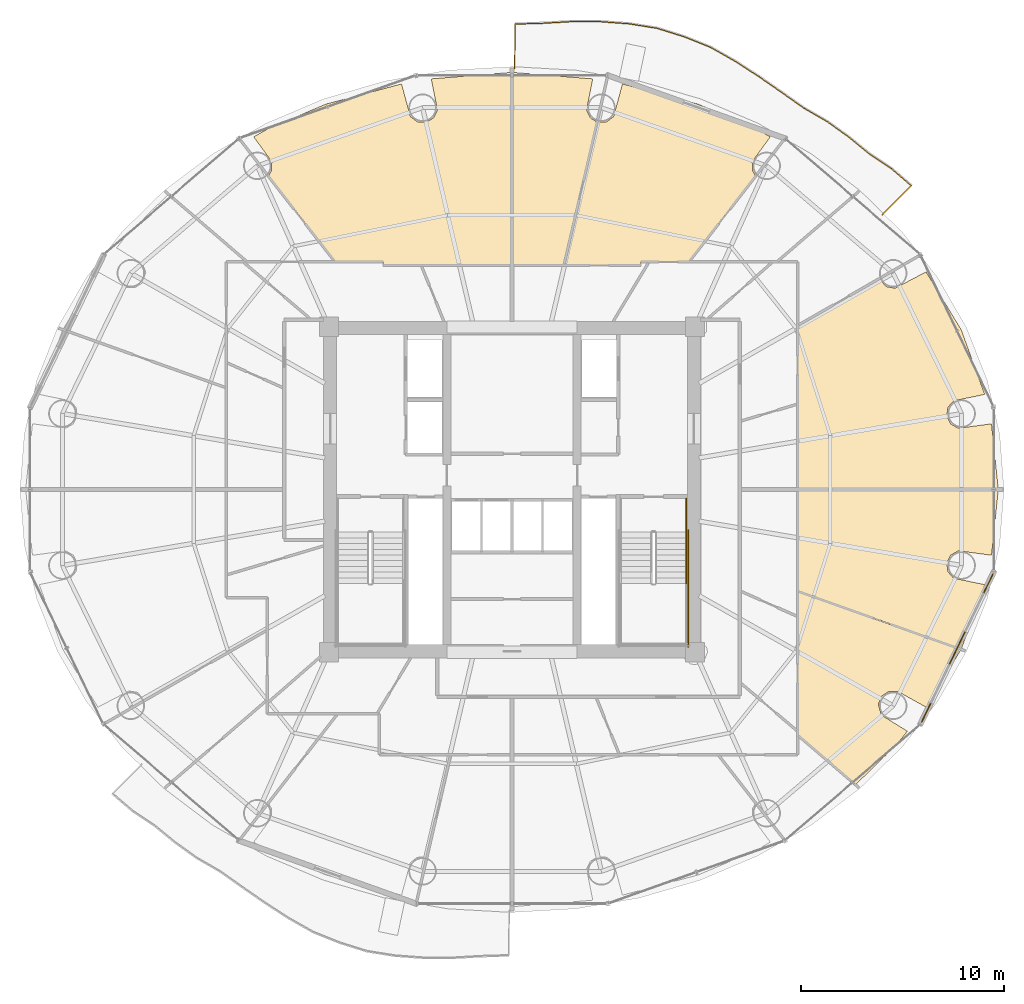
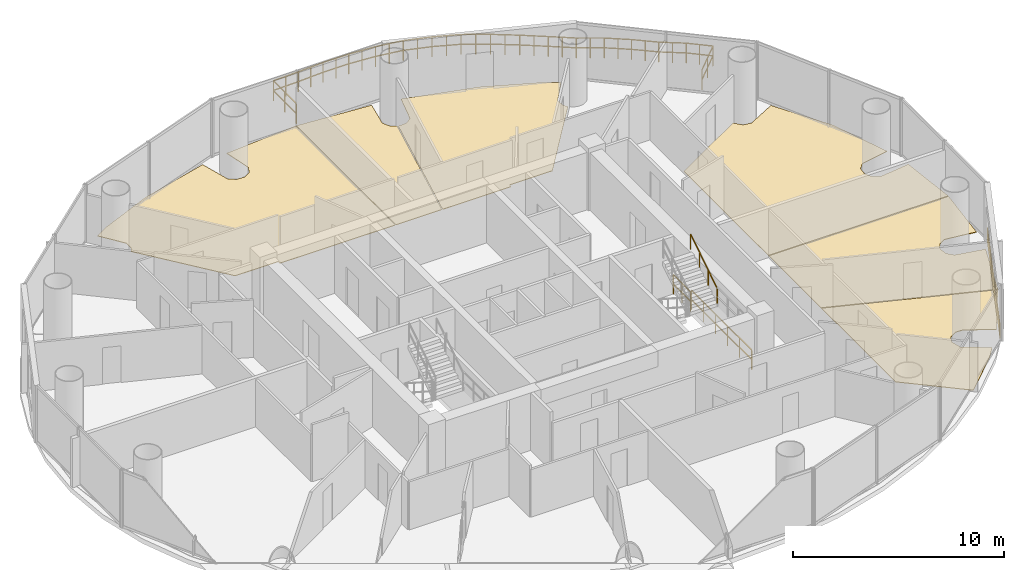
# One storey, part 27 of 27: 7 coverings, 4 railings.
"""IFC4 building model written with IfcOpenShell, lengths in metres."""

from ifc_helpers import new_model, si_unit, direction, frame, origin, origin_2d, place, context, subcontext, project, spatial, polyline, rectangle, outline, extrude, source, transform, mapped, material, layer, layer_set, type_object, element, save


model = new_model("IFC4")

# Units and contexts
model_context = context("Model", 3, precision=1e-05, world=origin(), true_north=direction((-0.2419218956, 0.970295726276)))
body_context = subcontext(model_context, "Body", "Model", "MODEL_VIEW")
ifc_project = project(units=[si_unit("LENGTHUNIT", "METRE"), si_unit("AREAUNIT", "SQUARE_METRE"), si_unit("VOLUMEUNIT", "CUBIC_METRE"), si_unit("PLANEANGLEUNIT", "RADIAN"), si_unit("MASSUNIT", "GRAM", prefix="KILO")], contexts=[model_context])

# Site, building, storey
site_placement = place(None, origin())
site = spatial("IfcSite", under=ifc_project, at=site_placement, CompositionType="ELEMENT")
building_placement = place(site_placement, origin())
building = spatial("IfcBuilding", under=site, at=building_placement, Name="Cobrevalo Terracotta Tower", CompositionType="ELEMENT")
storey_placement = place(building_placement, frame((0.0, 0.0, 164.199951171875)))
storey = spatial("IfcBuildingStorey", under=building, at=storey_placement, Name="L43", CompositionType="ELEMENT", Elevation=164.199951171875)

# Railing
ifc_material_1 = material(Name="Laminated structural glass and stainless steel", Category="steel")
railing_type_1 = type_object("IfcRailingType", Name="Balcony lobe structural glass & terracotta-cap balustrade 1180 mm", PredefinedType="BALUSTRADE", material=ifc_material_1)
railing_1_placement = place(storey_placement, frame((56.211181640625, 40.305908203125, 0.0)))
element("IfcRailing", 1, at=railing_1_placement, inside=storey, type_object=railing_type_1, Name="L43 spiralling balcony lobe balustrade 1", PredefinedType="BALUSTRADE", context=body_context, shape_type="SweptSolid", body=[
    extrude(rectangle(XDim=0.048095703125, YDim=0.048095703125, at=origin_2d()), frame((0.0, 0.0, 1.15576171875), z_axis=(0.706021801252, 0.708190098884, 0.0), x_axis=(-0.708190098884, 0.706021801252, 0.0)), (0.0, 0.0, 1.0), 2.026611328125),
    extrude(rectangle(XDim=0.048095703125, YDim=0.048095703125, at=origin_2d()), frame((0.0, 0.0, 0.58984375), z_axis=(0.706021801252, 0.708190098884, 0.0), x_axis=(-0.708190098884, 0.706021801252, 0.0)), (0.0, 0.0, 1.0), 2.026611328125),
    extrude(rectangle(XDim=0.048095703125, YDim=0.048095703125, at=origin_2d()), frame((1.430908203125, 1.435302734375, 1.15576171875), z_axis=(-0.757802502435, 0.652483997738, 0.0), x_axis=(-0.652483997738, -0.757802502435, 0.0)), (0.0, 0.0, 1.0), 1.29345703125),
    extrude(rectangle(XDim=0.048095703125, YDim=0.048095703125, at=origin_2d()), frame((1.430908203125, 1.435302734375, 0.58984375), z_axis=(-0.757802502435, 0.652483997738, 0.0), x_axis=(-0.652483997738, -0.757802502435, 0.0)), (0.0, 0.0, 1.0), 1.29345703125),
    extrude(rectangle(XDim=0.048095703125, YDim=0.048095703125, at=origin_2d()), frame((0.45068359375, 2.279296875, 1.15576171875), z_axis=(-0.83202152843, 0.554743342663, 0.0), x_axis=(-0.554743342663, -0.83202152843, 0.0)), (0.0, 0.0, 1.0), 1.3056640625),
    extrude(rectangle(XDim=0.048095703125, YDim=0.048095703125, at=origin_2d()), frame((0.45068359375, 2.279296875, 0.58984375), z_axis=(-0.83202152843, 0.554743342663, 0.0), x_axis=(-0.554743342663, -0.83202152843, 0.0)), (0.0, 0.0, 1.0), 1.3056640625),
    extrude(rectangle(XDim=0.048095703125, YDim=0.048095703125, at=origin_2d()), frame((-0.6357421875, 3.003662109375, 1.15576171875), z_axis=(-0.773682191718, 0.633573883788, 0.0), x_axis=(-0.633573883788, -0.773682191718, 0.0)), (0.0, 0.0, 1.0), 1.30517578125),
    extrude(rectangle(XDim=0.048095703125, YDim=0.048095703125, at=origin_2d()), frame((-0.6357421875, 3.003662109375, 0.58984375), z_axis=(-0.773682191718, 0.633573883788, 0.0), x_axis=(-0.633573883788, -0.773682191718, 0.0)), (0.0, 0.0, 1.0), 1.30517578125),
    extrude(rectangle(XDim=0.048095703125, YDim=0.048095703125, at=origin_2d()), frame((-1.6455078125, 3.83056640625, 1.15576171875), z_axis=(-0.812532479491, 0.582915919985, 0.0), x_axis=(-0.582915919985, -0.812532479491, 0.0)), (0.0, 0.0, 1.0), 1.306640625),
    extrude(rectangle(XDim=0.048095703125, YDim=0.048095703125, at=origin_2d()), frame((-1.6455078125, 3.83056640625, 0.58984375), z_axis=(-0.812532479491, 0.582915919985, 0.0), x_axis=(-0.582915919985, -0.812532479491, 0.0)), (0.0, 0.0, 1.0), 1.306640625),
    extrude(rectangle(XDim=0.048095703125, YDim=0.048095703125, at=origin_2d()), frame((-2.707275390625, 4.59228515625, 1.15576171875), z_axis=(-0.866446174759, 0.499270494067, 0.0), x_axis=(-0.499270494067, -0.866446174759, 0.0)), (0.0, 0.0, 1.0), 1.3251953125),
    extrude(rectangle(XDim=0.048095703125, YDim=0.048095703125, at=origin_2d()), frame((-2.707275390625, 4.59228515625, 0.58984375), z_axis=(-0.866446174759, 0.499270494067, 0.0), x_axis=(-0.499270494067, -0.866446174759, 0.0)), (0.0, 0.0, 1.0), 1.3251953125),
    extrude(rectangle(XDim=0.048095703125, YDim=0.048095703125, at=origin_2d()), frame((-3.85546875, 5.25390625, 1.15576171875), z_axis=(-0.816146575687, 0.577844933346, 0.0), x_axis=(-0.577844933346, -0.816146575687, 0.0)), (0.0, 0.0, 1.0), 1.3359375),
    extrude(rectangle(XDim=0.048095703125, YDim=0.048095703125, at=origin_2d()), frame((-3.85546875, 5.25390625, 0.58984375), z_axis=(-0.816146575687, 0.577844933346, 0.0), x_axis=(-0.577844933346, -0.816146575687, 0.0)), (0.0, 0.0, 1.0), 1.3359375),
    extrude(rectangle(XDim=0.048095703125, YDim=0.048095703125, at=origin_2d()), frame((-4.94580078125, 6.02587890625, 1.15576171875), z_axis=(-0.822082565391, 0.569368295289, 0.0), x_axis=(-0.569368295289, -0.822082565391, 0.0)), (0.0, 0.0, 1.0), 1.363037109375),
    extrude(rectangle(XDim=0.048095703125, YDim=0.048095703125, at=origin_2d()), frame((-4.94580078125, 6.02587890625, 0.58984375), z_axis=(-0.822082565391, 0.569368295289, 0.0), x_axis=(-0.569368295289, -0.822082565391, 0.0)), (0.0, 0.0, 1.0), 1.363037109375),
    extrude(rectangle(XDim=0.048095703125, YDim=0.048095703125, at=origin_2d()), frame((-6.06640625, 6.802001953125, 1.15576171875), z_axis=(-0.839220023111, 0.543792012455, 0.0), x_axis=(-0.543792012455, -0.839220023111, 0.0)), (0.0, 0.0, 1.0), 1.385009765625),
    extrude(rectangle(XDim=0.048095703125, YDim=0.048095703125, at=origin_2d()), frame((-6.06640625, 6.802001953125, 0.58984375), z_axis=(-0.839220023111, 0.543792012455, 0.0), x_axis=(-0.543792012455, -0.839220023111, 0.0)), (0.0, 0.0, 1.0), 1.385009765625),
    extrude(rectangle(XDim=0.048095703125, YDim=0.048095703125, at=origin_2d()), frame((-7.228759765625, 7.55517578125, 1.15576171875), z_axis=(-0.869694041048, 0.493591202278, 0.0), x_axis=(-0.493591202278, -0.869694041048, 0.0)), (0.0, 0.0, 1.0), 1.394287109375),
    extrude(rectangle(XDim=0.048095703125, YDim=0.048095703125, at=origin_2d()), frame((-7.228759765625, 7.55517578125, 0.58984375), z_axis=(-0.869694041048, 0.493591202278, 0.0), x_axis=(-0.493591202278, -0.869694041048, 0.0)), (0.0, 0.0, 1.0), 1.394287109375),
    extrude(rectangle(XDim=0.048095703125, YDim=0.048095703125, at=origin_2d()), frame((-8.44140625, 8.243408203125, 1.15576171875), z_axis=(-0.92836839883, 0.371661292111, 0.0), x_axis=(-0.371661292111, -0.92836839883, 0.0)), (0.0, 0.0, 1.0), 1.39990234375),
    extrude(rectangle(XDim=0.048095703125, YDim=0.048095703125, at=origin_2d()), frame((-8.44140625, 8.243408203125, 0.58984375), z_axis=(-0.92836839883, 0.371661292111, 0.0), x_axis=(-0.371661292111, -0.92836839883, 0.0)), (0.0, 0.0, 1.0), 1.39990234375),
    extrude(rectangle(XDim=0.048095703125, YDim=0.048095703125, at=origin_2d()), frame((-9.740966796875, 8.763671875, 1.15576171875), z_axis=(-0.954296746624, 0.298860702305, 0.0), x_axis=(-0.298860702305, -0.954296746624, 0.0)), (0.0, 0.0, 1.0), 1.400146484375),
    extrude(rectangle(XDim=0.048095703125, YDim=0.048095703125, at=origin_2d()), frame((-9.740966796875, 8.763671875, 0.58984375), z_axis=(-0.954296746624, 0.298860702305, 0.0), x_axis=(-0.298860702305, -0.954296746624, 0.0)), (0.0, 0.0, 1.0), 1.400146484375),
    extrude(rectangle(XDim=0.048095703125, YDim=0.048095703125, at=origin_2d()), frame((-11.0771484375, 9.18212890625, 1.15576171875), z_axis=(-0.98754111881, 0.157361172656, 0.0), x_axis=(-0.157361172656, -0.98754111881, 0.0)), (0.0, 0.0, 1.0), 1.4072265625),
    extrude(rectangle(XDim=0.048095703125, YDim=0.048095703125, at=origin_2d()), frame((-11.0771484375, 9.18212890625, 0.58984375), z_axis=(-0.98754111881, 0.157361172656, 0.0), x_axis=(-0.157361172656, -0.98754111881, 0.0)), (0.0, 0.0, 1.0), 1.4072265625),
    extrude(rectangle(XDim=0.048095703125, YDim=0.048095703125, at=origin_2d()), frame((-12.466796875, 9.403564453125, 1.15576171875), z_axis=(-0.997351217919, 0.072736154111, 0.0), x_axis=(-0.072736154111, -0.997351217919, 0.0)), (0.0, 0.0, 1.0), 1.40966796875),
    extrude(rectangle(XDim=0.048095703125, YDim=0.048095703125, at=origin_2d()), frame((-12.466796875, 9.403564453125, 0.58984375), z_axis=(-0.997351217919, 0.072736154111, 0.0), x_axis=(-0.072736154111, -0.997351217919, 0.0)), (0.0, 0.0, 1.0), 1.40966796875),
    extrude(rectangle(XDim=0.048095703125, YDim=0.048095703125, at=origin_2d()), frame((-13.872802734375, 9.506103515625, 1.15576171875), z_axis=(-0.999997043134, 0.002431814939, 0.0), x_axis=(-0.002431814939, -0.999997043134, 0.0)), (0.0, 0.0, 1.0), 1.405517578125),
    extrude(rectangle(XDim=0.048095703125, YDim=0.048095703125, at=origin_2d()), frame((-13.872802734375, 9.506103515625, 0.58984375), z_axis=(-0.999997043134, 0.002431814939, 0.0), x_axis=(-0.002431814939, -0.999997043134, 0.0)), (0.0, 0.0, 1.0), 1.405517578125),
    extrude(rectangle(XDim=0.048095703125, YDim=0.048095703125, at=origin_2d()), frame((-15.2783203125, 9.509521484375, 1.15576171875), z_axis=(-0.998344933201, -0.057509950033, 0.0), x_axis=(0.057509950033, -0.998344933201, 0.0)), (0.0, 0.0, 1.0), 1.4052734375),
    extrude(rectangle(XDim=0.048095703125, YDim=0.048095703125, at=origin_2d()), frame((-15.2783203125, 9.509521484375, 0.58984375), z_axis=(-0.998344933201, -0.057509950033, 0.0), x_axis=(0.057509950033, -0.998344933201, 0.0)), (0.0, 0.0, 1.0), 1.4052734375),
    extrude(rectangle(XDim=0.048095703125, YDim=0.048095703125, at=origin_2d()), frame((-16.68115234375, 9.4287109375, 1.15576171875), z_axis=(-0.999553354362, -0.029884641267, 0.0), x_axis=(0.029884641267, -0.999553354362, 0.0)), (0.0, 0.0, 1.0), 1.388916015625),
    extrude(rectangle(XDim=0.048095703125, YDim=0.048095703125, at=origin_2d()), frame((-16.68115234375, 9.4287109375, 0.58984375), z_axis=(-0.999553354362, -0.029884641267, 0.0), x_axis=(0.029884641267, -0.999553354362, 0.0)), (0.0, 0.0, 1.0), 1.388916015625),
    extrude(rectangle(XDim=0.048095703125, YDim=0.048095703125, at=origin_2d()), frame((-18.0693359375, 9.38720703125, 1.15576171875), z_axis=(-0.004680657519, -0.999989045663, 0.0), x_axis=(0.999989045663, -0.004680657519, 0.0)), (0.0, 0.0, 1.0), 2.190673828125),
    extrude(rectangle(XDim=0.048095703125, YDim=0.048095703125, at=origin_2d()), frame((-18.0693359375, 9.38720703125, 0.58984375), z_axis=(-0.004680657519, -0.999989045663, 0.0), x_axis=(0.999989045663, -0.004680657519, 0.0)), (0.0, 0.0, 1.0), 2.190673828125),
    extrude(rectangle(XDim=0.0419921875, YDim=0.0419921875, at=origin_2d()), origin(), (0.0, 0.0, 1.0), 1.1318359375),
    extrude(rectangle(XDim=0.0419921875, YDim=0.0419921875, at=origin_2d()), frame((0.71533203125, 0.7177734375, 0.0)), (0.0, 0.0, 1.0), 1.1318359375),
    extrude(rectangle(XDim=0.0419921875, YDim=0.0419921875, at=origin_2d()), frame((1.430908203125, 1.435302734375, 0.0)), (0.0, 0.0, 1.0), 1.1318359375),
    extrude(rectangle(XDim=0.0419921875, YDim=0.0419921875, at=origin_2d()), frame((0.94091796875, 1.857421875, 0.0)), (0.0, 0.0, 1.0), 1.1318359375),
    extrude(rectangle(XDim=0.0419921875, YDim=0.0419921875, at=origin_2d()), frame((0.45068359375, 2.279296875, 0.0)), (0.0, 0.0, 1.0), 1.1318359375),
    extrude(rectangle(XDim=0.0419921875, YDim=0.0419921875, at=origin_2d()), frame((-0.092529296875, 2.6416015625, 0.0)), (0.0, 0.0, 1.0), 1.1318359375),
    extrude(rectangle(XDim=0.0419921875, YDim=0.0419921875, at=origin_2d()), frame((-0.6357421875, 3.003662109375, 0.0)), (0.0, 0.0, 1.0), 1.1318359375),
    extrude(rectangle(XDim=0.0419921875, YDim=0.0419921875, at=origin_2d()), frame((-1.140625, 3.4169921875, 0.0)), (0.0, 0.0, 1.0), 1.1318359375),
    extrude(rectangle(XDim=0.0419921875, YDim=0.0419921875, at=origin_2d()), frame((-1.6455078125, 3.83056640625, 0.0)), (0.0, 0.0, 1.0), 1.1318359375),
    extrude(rectangle(XDim=0.0419921875, YDim=0.0419921875, at=origin_2d()), frame((-2.17626953125, 4.21142578125, 0.0)), (0.0, 0.0, 1.0), 1.1318359375),
    extrude(rectangle(XDim=0.0419921875, YDim=0.0419921875, at=origin_2d()), frame((-2.707275390625, 4.59228515625, 0.0)), (0.0, 0.0, 1.0), 1.1318359375),
    extrude(rectangle(XDim=0.0419921875, YDim=0.0419921875, at=origin_2d()), frame((-3.28125, 4.923095703125, 0.0)), (0.0, 0.0, 1.0), 1.1318359375),
    extrude(rectangle(XDim=0.0419921875, YDim=0.0419921875, at=origin_2d()), frame((-3.85546875, 5.25390625, 0.0)), (0.0, 0.0, 1.0), 1.1318359375),
    extrude(rectangle(XDim=0.0419921875, YDim=0.0419921875, at=origin_2d()), frame((-4.400634765625, 5.639892578125, 0.0)), (0.0, 0.0, 1.0), 1.1318359375),
    extrude(rectangle(XDim=0.0419921875, YDim=0.0419921875, at=origin_2d()), frame((-4.94580078125, 6.02587890625, 0.0)), (0.0, 0.0, 1.0), 1.1318359375),
    extrude(rectangle(XDim=0.0419921875, YDim=0.0419921875, at=origin_2d()), frame((-5.506103515625, 6.4140625, 0.0)), (0.0, 0.0, 1.0), 1.1318359375),
    extrude(rectangle(XDim=0.0419921875, YDim=0.0419921875, at=origin_2d()), frame((-6.06640625, 6.802001953125, 0.0)), (0.0, 0.0, 1.0), 1.1318359375),
    extrude(rectangle(XDim=0.0419921875, YDim=0.0419921875, at=origin_2d()), frame((-6.6474609375, 7.1787109375, 0.0)), (0.0, 0.0, 1.0), 1.1318359375),
    extrude(rectangle(XDim=0.0419921875, YDim=0.0419921875, at=origin_2d()), frame((-7.228759765625, 7.55517578125, 0.0)), (0.0, 0.0, 1.0), 1.1318359375),
    extrude(rectangle(XDim=0.0419921875, YDim=0.0419921875, at=origin_2d()), frame((-7.8349609375, 7.8994140625, 0.0)), (0.0, 0.0, 1.0), 1.1318359375),
    extrude(rectangle(XDim=0.0419921875, YDim=0.0419921875, at=origin_2d()), frame((-8.44140625, 8.243408203125, 0.0)), (0.0, 0.0, 1.0), 1.1318359375),
    extrude(rectangle(XDim=0.0419921875, YDim=0.0419921875, at=origin_2d()), frame((-9.09130859375, 8.50341796875, 0.0)), (0.0, 0.0, 1.0), 1.1318359375),
    extrude(rectangle(XDim=0.0419921875, YDim=0.0419921875, at=origin_2d()), frame((-9.740966796875, 8.763671875, 0.0)), (0.0, 0.0, 1.0), 1.1318359375),
    extrude(rectangle(XDim=0.0419921875, YDim=0.0419921875, at=origin_2d()), frame((-10.4091796875, 8.972900390625, 0.0)), (0.0, 0.0, 1.0), 1.1318359375),
    extrude(rectangle(XDim=0.0419921875, YDim=0.0419921875, at=origin_2d()), frame((-11.0771484375, 9.18212890625, 0.0)), (0.0, 0.0, 1.0), 1.1318359375),
    extrude(rectangle(XDim=0.0419921875, YDim=0.0419921875, at=origin_2d()), frame((-11.77197265625, 9.29296875, 0.0)), (0.0, 0.0, 1.0), 1.1318359375),
    extrude(rectangle(XDim=0.0419921875, YDim=0.0419921875, at=origin_2d()), frame((-12.466796875, 9.403564453125, 0.0)), (0.0, 0.0, 1.0), 1.1318359375),
    extrude(rectangle(XDim=0.0419921875, YDim=0.0419921875, at=origin_2d()), frame((-13.169921875, 9.454833984375, 0.0)), (0.0, 0.0, 1.0), 1.1318359375),
    extrude(rectangle(XDim=0.0419921875, YDim=0.0419921875, at=origin_2d()), frame((-13.872802734375, 9.506103515625, 0.0)), (0.0, 0.0, 1.0), 1.1318359375),
    extrude(rectangle(XDim=0.0419921875, YDim=0.0419921875, at=origin_2d()), frame((-14.57568359375, 9.5078125, 0.0)), (0.0, 0.0, 1.0), 1.1318359375),
    extrude(rectangle(XDim=0.0419921875, YDim=0.0419921875, at=origin_2d()), frame((-15.2783203125, 9.509521484375, 0.0)), (0.0, 0.0, 1.0), 1.1318359375),
    extrude(rectangle(XDim=0.0419921875, YDim=0.0419921875, at=origin_2d()), frame((-15.979736328125, 9.46923828125, 0.0)), (0.0, 0.0, 1.0), 1.1318359375),
    extrude(rectangle(XDim=0.0419921875, YDim=0.0419921875, at=origin_2d()), frame((-16.68115234375, 9.4287109375, 0.0)), (0.0, 0.0, 1.0), 1.1318359375),
    extrude(rectangle(XDim=0.0419921875, YDim=0.0419921875, at=origin_2d()), frame((-17.375244140625, 9.407958984375, 0.0)), (0.0, 0.0, 1.0), 1.1318359375),
    extrude(rectangle(XDim=0.0419921875, YDim=0.0419921875, at=origin_2d()), frame((-18.0693359375, 9.38720703125, 0.0)), (0.0, 0.0, 1.0), 1.1318359375),
    extrude(rectangle(XDim=0.0419921875, YDim=0.0419921875, at=origin_2d()), frame((-18.074462890625, 8.2919921875, 0.0)), (0.0, 0.0, 1.0), 1.1318359375),
    extrude(rectangle(XDim=0.0419921875, YDim=0.0419921875, at=origin_2d()), frame((-18.07958984375, 7.196533203125, 0.0)), (0.0, 0.0, 1.0), 1.1318359375),
])

# Coverings
ifc_material_2 = material(Name="Engineered Brazilian hardwood flooring", Category="wood")
ifc_layer_1 = layer(ifc_material_2, 0.028076171875)
ifc_layer_set_1 = layer_set([ifc_layer_1], Name="Engineered Brazilian hardwood flooring")
covering_type_1 = type_object("IfcCoveringType", Name="Engineered Hardwood Suite Flooring 28", PredefinedType="FLOORING", material=ifc_layer_set_1)
covering_1_placement = place(storey_placement, origin())
element("IfcCovering", 2, at=covering_1_placement, inside=storey, type_object=covering_type_1, Name="Flat L43A Penthouse Living and Dining Room floor finish", PredefinedType="FLOORING", context=body_context, shape_type="SweptSolid", body=[
    extrude(outline(polyline([(60.099609375, 34.651611328125), (61.251708984375, 31.478271484375), (59.7236328125, 31.1630859375), (59.44140625, 30.8388671875), (59.386962890625, 30.41259765625), (59.578369140625, 30.028076171875), (59.951416015625, 29.814697265625), (61.58642578125, 30.03369140625), (61.91845703125, 26.820068359375), (52.06494140625, 26.820068359375), (52.06494140625, 34.8544921875), (56.070068359375, 37.154541015625), (56.417236328125, 36.77783203125), (56.8408203125, 36.70458984375), (58.367431640625, 37.50634765625), (60.099609375, 34.651611328125)])), origin(), (0.0, 0.0, 1.0), 0.030029296875),
])
covering_2_placement = place(storey_placement, origin())
element("IfcCovering", 3, at=covering_2_placement, inside=storey, type_object=covering_type_1, Name="Flat L43A Penthouse Family Lounge floor finish", PredefinedType="FLOORING", context=body_context, shape_type="SweptSolid", body=[
    extrude(outline(polyline([(49.961181640625, 44.5703125), (50.704833984375, 44.143798828125), (49.815673828125, 42.9228515625), (49.824462890625, 42.4931640625), (49.97509765625, 42.236572265625), (46.693115234375, 38.014892578125), (44.3349609375, 38.014892578125), (44.3349609375, 37.85498046875), (40.578857421875, 37.85498046875), (42.203369140625, 44.873779296875), (42.6591796875, 44.88916015625), (43.00048828125, 45.150390625), (43.432861328125, 46.75), (47.15478515625, 45.757568359375), (49.961181640625, 44.5703125)])), origin(), (0.0, 0.0, 1.0), 0.030029296875),
])
covering_3_placement = place(storey_placement, origin())
element("IfcCovering", 4, at=covering_3_placement, inside=storey, type_object=covering_type_1, Name="Flat L43A North Bedroom floor finish", PredefinedType="FLOORING", context=body_context, shape_type="SweptSolid", body=[
    extrude(outline(polyline([(38.02001953125, 47.31884765625), (41.97119140625, 46.99951171875), (41.6689453125, 45.462158203125), (41.858642578125, 45.07666015625), (42.16455078125, 44.8837890625), (40.537841796875, 37.85498046875), (38.02001953125, 37.85498046875), (38.02001953125, 47.31884765625)])), origin(), (0.0, 0.0, 1.0), 0.030029296875),
])
covering_4_placement = place(storey_placement, origin())
element("IfcCovering", 5, at=covering_4_placement, inside=storey, type_object=covering_type_1, Name="Flat L43B Penthouse Living and Dining Room floor finish", PredefinedType="FLOORING", context=body_context, shape_type="SweptSolid", body=[
    extrude(outline(polyline([(28.84521484375, 45.757568359375), (32.567138671875, 46.75), (32.99951171875, 45.150390625), (33.3408203125, 44.88916015625), (33.76953125, 44.861328125), (34.141357421875, 45.07666015625), (34.3310546875, 45.462158203125), (34.02880859375, 46.99951171875), (37.97998046875, 47.31884765625), (37.97998046875, 37.85498046875), (31.6650390625, 37.85498046875), (31.6650390625, 38.014892578125), (29.306884765625, 38.014892578125), (26.02490234375, 42.236572265625), (26.175537109375, 42.4931640625), (26.184326171875, 42.9228515625), (25.295166015625, 44.143798828125), (26.038818359375, 44.5703125), (28.84521484375, 45.757568359375)])), origin(), (0.0, 0.0, 1.0), 0.030029296875),
])
covering_5_placement = place(storey_placement, origin())
element("IfcCovering", 6, at=covering_5_placement, inside=storey, type_object=covering_type_1, Name="Flat L43D Principal Guest Bedroom floor finish", PredefinedType="FLOORING", context=body_context, shape_type="SweptSolid", body=[
    extrude(outline(polyline([(58.367431640625, 16.09375), (56.982177734375, 16.863525390625), (56.552734375, 16.874267578125), (56.189697265625, 16.64453125), (56.01513671875, 16.251953125), (56.165771484375, 15.705810546875), (57.448486328125, 14.91357421875), (56.97802734375, 14.309326171875), (54.9111328125, 12.291015625), (52.06494140625, 14.737548828125), (52.06494140625, 21.771484375), (60.081787109375, 18.917236328125), (58.367431640625, 16.09375)])), origin(), (0.0, 0.0, 1.0), 0.030029296875),
])
covering_6_placement = place(storey_placement, origin())
element("IfcCovering", 7, at=covering_6_placement, inside=storey, type_object=covering_type_1, Name="Flat L43D Penthouse Family Lounge floor finish", PredefinedType="FLOORING", context=body_context, shape_type="SweptSolid", body=[
    extrude(outline(polyline([(52.06494140625, 21.813720703125), (52.06494140625, 26.780029296875), (61.91845703125, 26.780029296875), (61.58642578125, 23.566162109375), (59.951416015625, 23.785400390625), (59.578369140625, 23.572021484375), (59.386962890625, 23.187255859375), (59.44140625, 22.760986328125), (59.7236328125, 22.43701171875), (61.251708984375, 22.121826171875), (60.101318359375, 18.95263671875), (52.06494140625, 21.813720703125)])), origin(), (0.0, 0.0, 1.0), 0.030029296875),
])

# Railings
ifc_material_3 = material(Name="Brushed stainless steel", Category="steel")
railing_type_2 = type_object("IfcRailingType", Name="Stainless Steel Stair Handrail 900", PredefinedType="HANDRAIL", material=ifc_material_3)
railing_2_placement = place(storey_placement, frame((46.574951171875, 22.179931640625, 1.97998046875)))
element("IfcRailing", 8, at=railing_2_placement, inside=storey, type_object=railing_type_2, Name="L43 ST-2 stair handrail 2", PredefinedType="HANDRAIL", context=body_context, shape_type="SweptSolid", body=[
    extrude(rectangle(XDim=0.048095703125, YDim=0.048095703125, at=origin_2d()), frame((0.0, 0.0, 0.8759765625), z_axis=(0.0, 0.841162588446, 0.540782303519), x_axis=(-1.0, 0.0, 0.0)), (0.0, 0.0, 1.0), 2.995849609375),
    extrude(rectangle(XDim=0.0419921875, YDim=0.0419921875, at=origin_2d()), origin(), (0.0, 0.0, 1.0), 0.851806640625),
    extrude(rectangle(XDim=0.0419921875, YDim=0.0419921875, at=origin_2d()), frame((0.0, 0.840087890625, 0.5400390625)), (0.0, 0.0, 1.0), 0.851806640625),
    extrude(rectangle(XDim=0.0419921875, YDim=0.0419921875, at=origin_2d()), frame((0.0, 1.679931640625, 1.080078125)), (0.0, 0.0, 1.0), 0.851806640625),
    extrude(rectangle(XDim=0.0419921875, YDim=0.0419921875, at=origin_2d()), frame((0.0, 2.52001953125, 1.6201171875)), (0.0, 0.0, 1.0), 0.851806640625),
])
ifc_material_4 = material(Name="Painted galvanized steel", Category="steel")
railing_type_3 = type_object("IfcRailingType", Name="Stair Well Guard Balustrade 1150", PredefinedType="GUARDRAIL", material=ifc_material_4)
railing_3_placement = place(storey_placement, frame((46.574951171875, 26.35009765625, 0.0)))
element("IfcRailing", 9, at=railing_3_placement, inside=storey, type_object=railing_type_3, Name="L43 ST-2 stair guard 9", PredefinedType="GUARDRAIL", context=body_context, shape_type="SweptSolid", body=[
    extrude(rectangle(XDim=0.048095703125, YDim=0.048095703125, at=origin_2d()), frame((0.0, 0.0, 1.1259765625), z_axis=(0.0, -1.0, 0.0), x_axis=(1.0, 0.0, 0.0)), (0.0, 0.0, 1.0), 1.650146484375),
    extrude(rectangle(XDim=0.048095703125, YDim=0.048095703125, at=origin_2d()), frame((0.0, 0.0, 0.574951171875), z_axis=(0.0, -1.0, 0.0), x_axis=(1.0, 0.0, 0.0)), (0.0, 0.0, 1.0), 1.650146484375),
    extrude(rectangle(XDim=0.0419921875, YDim=0.0419921875, at=origin_2d()), origin(), (0.0, 0.0, 1.0), 1.101806640625),
    extrude(rectangle(XDim=0.0419921875, YDim=0.0419921875, at=origin_2d()), frame((0.0, -0.8251953125, 0.0)), (0.0, 0.0, 1.0), 1.101806640625),
    extrude(rectangle(XDim=0.0419921875, YDim=0.0419921875, at=origin_2d()), frame((0.0, -1.650146484375, 0.0)), (0.0, 0.0, 1.0), 1.101806640625),
])
railing_4_placement = place(storey_placement, frame((46.675048828125, 24.800048828125, 0.0)))
element("IfcRailing", 10, at=railing_4_placement, inside=storey, type_object=railing_type_3, Name="L43 ST-2 stair guard 11", PredefinedType="GUARDRAIL", context=body_context, shape_type="SweptSolid", body=[
    extrude(rectangle(XDim=0.048095703125, YDim=0.048095703125, at=origin_2d()), frame((0.0, 0.0, 1.1259765625), z_axis=(0.0, -1.0, 0.0), x_axis=(1.0, 0.0, 0.0)), (0.0, 0.0, 1.0), 5.72509765625),
    extrude(rectangle(XDim=0.048095703125, YDim=0.048095703125, at=origin_2d()), frame((0.0, 0.0, 0.574951171875), z_axis=(0.0, -1.0, 0.0), x_axis=(1.0, 0.0, 0.0)), (0.0, 0.0, 1.0), 5.72509765625),
    extrude(rectangle(XDim=0.0419921875, YDim=0.0419921875, at=origin_2d()), origin(), (0.0, 0.0, 1.0), 1.101806640625),
    extrude(rectangle(XDim=0.0419921875, YDim=0.0419921875, at=origin_2d()), frame((0.0, -1.14501953125, 0.0)), (0.0, 0.0, 1.0), 1.101806640625),
    extrude(rectangle(XDim=0.0419921875, YDim=0.0419921875, at=origin_2d()), frame((0.0, -2.2900390625, 0.0)), (0.0, 0.0, 1.0), 1.101806640625),
    extrude(rectangle(XDim=0.0419921875, YDim=0.0419921875, at=origin_2d()), frame((0.0, -3.43505859375, 0.0)), (0.0, 0.0, 1.0), 1.101806640625),
    extrude(rectangle(XDim=0.0419921875, YDim=0.0419921875, at=origin_2d()), frame((0.0, -4.580078125, 0.0)), (0.0, 0.0, 1.0), 1.101806640625),
    extrude(rectangle(XDim=0.0419921875, YDim=0.0419921875, at=origin_2d()), frame((0.0, -5.72509765625, 0.0)), (0.0, 0.0, 1.0), 1.101806640625),
])

# Covering
ifc_material_5 = material(Name="Glazed terracotta facade cladding tile", Category="masonry")
ifc_layer_2 = layer(ifc_material_5, 0.044921875)
ifc_layer_set_2 = layer_set([ifc_layer_2], Name="Glazed terracotta facade cladding tile")
covering_type_2 = type_object("IfcCoveringType", Name="Architectural terracotta rainscreen spandrel cladding 45 mm", PredefinedType="CLADDING", material=ifc_layer_set_2)
shared_shape = source(origin(), body_context, "Body", "SweptSolid", [
    extrude(rectangle(XDim=8.111572265625, YDim=0.044921875, at=origin_2d()), origin(), (0.0, 0.0, 1.0), 0.760009765625),
])
covering_7_placement = place(storey_placement, frame((59.901123046875, 19.00439453125, 0.0400390625), z_axis=(0.0, 0.0, 1.0), x_axis=(0.434209440271, 0.900811945957, 0.0)))
element("IfcCovering", 11, at=covering_7_placement, inside=storey, type_object=covering_type_2, Name="L43 terracotta spandrel cladding S15", PredefinedType="CLADDING", context=body_context, shape_type="MappedRepresentation", body=[
    mapped(shared_shape, transform((0.0, 0.0, 0.0), scale=1.0)),
])

save(model, "model.ifc")
